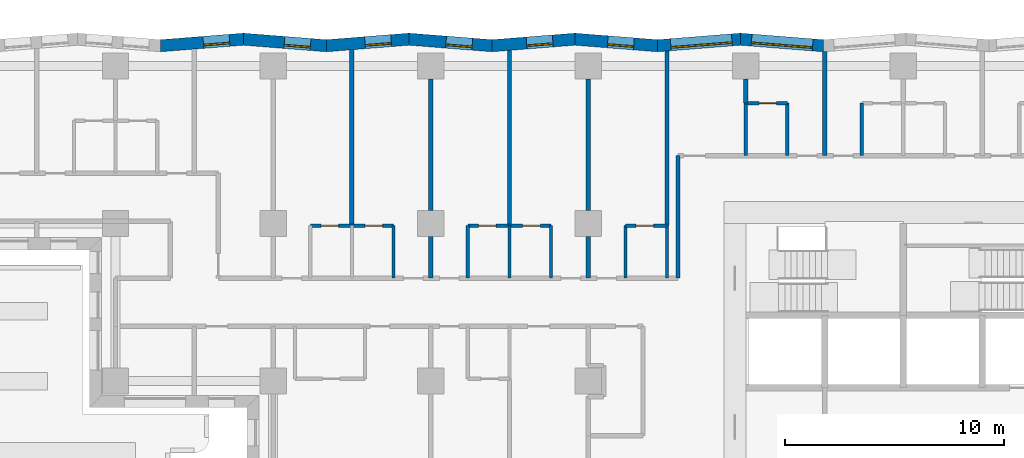
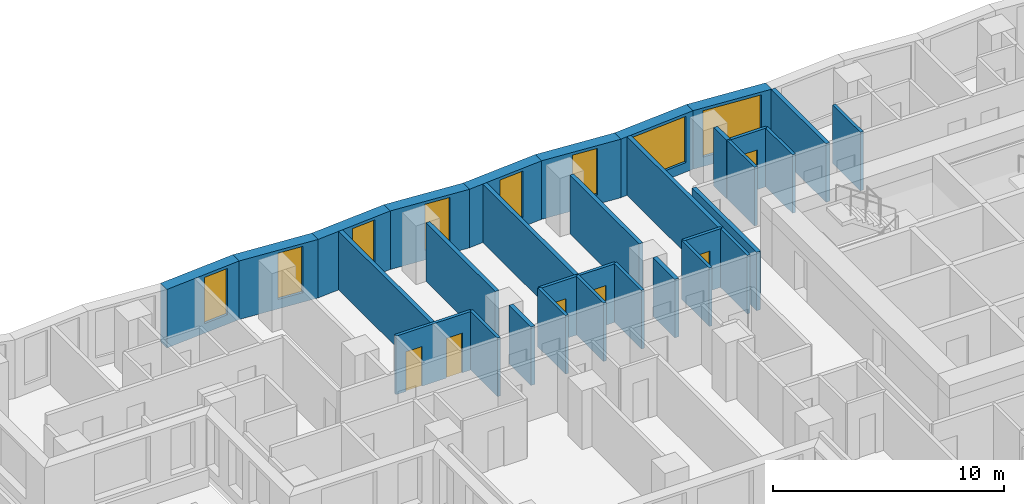
# One storey, part 6 of 15: 31 walls, 8 windows, 6 doors, 14 openings.
"""IFC4 building model written with IfcOpenShell, lengths in metres."""

from ifc_helpers import new_model, si_unit, direction, frame, frame_2d, origin, place, context, subcontext, project, spatial, polyline, rectangle, outline, extrude, material, layer, layer_set, type_object, element, fill, save


model = new_model("IFC4")

# Units and contexts
model_context = context("Model", 3, precision=1e-05, world=origin(), true_north=direction((0.0, 1.0)))
body_context = subcontext(model_context, "Body", "Model", "MODEL_VIEW")
ifc_project = project(units=[si_unit("LENGTHUNIT", "METRE"), si_unit("AREAUNIT", "SQUARE_METRE"), si_unit("VOLUMEUNIT", "CUBIC_METRE"), si_unit("PLANEANGLEUNIT", "RADIAN"), si_unit("MASSUNIT", "GRAM", prefix="KILO")], contexts=[model_context])

# Site, building, storey
site_placement = place(None, origin())
site = spatial("IfcSite", under=ifc_project, at=site_placement, CompositionType="ELEMENT")
building_placement = place(site_placement, origin())
building = spatial("IfcBuilding", under=site, at=building_placement, Name="Windrow Commons", CompositionType="ELEMENT")
storey_placement = place(building_placement, frame((0.0, 0.0, 27.0)))
storey = spatial("IfcBuildingStorey", under=building, at=storey_placement, Name="L06", CompositionType="ELEMENT", Elevation=27.0)

# Wall, opening, window
ifc_material_1 = material(Name="Brick masonry, red clay brick", Category="masonry")
ifc_layer_1 = layer(ifc_material_1, 0.55)
ifc_layer_set_1 = layer_set([ifc_layer_1], Name="Brick facade wall 550")
wall_type_1 = type_object("IfcWallType", Name="Brick facade wall 550", PredefinedType="SOLIDWALL", material=ifc_layer_set_1)
wall_1_placement = place(storey_placement, frame((61.1418, 72.9241, 0.0), z_axis=(0.0, 0.0, 1.0), x_axis=(-0.9968746163, 0.078999996, 0.0)))
wall_1 = element("IfcWall", 1, at=wall_1_placement, inside=storey, type_object=wall_type_1, Name="Brick facade wall L06 28", PredefinedType="SOLIDWALL", context=body_context, shape_type="SweptSolid", body=[
    extrude(outline(polyline([(0.0218, -0.275), (3.8193, -0.275), (3.7757, 0.275), (-0.0218, 0.275), (0.0218, -0.275)])), origin(), (0.0, 0.0, 1.0), 3.1),
])
opening_1_placement = place(wall_1_placement, frame((0.4878, 0.0, 0.5)))
opening_1 = element("IfcOpeningElement", 2, at=opening_1_placement, cuts=wall_1, Name="Opening W1T", PredefinedType="OPENING", context=body_context, shape_type="SweptSolid", body=[
    extrude(rectangle(XDim=2.8, YDim=2.45, at=frame_2d((1.4, 1.225))), frame((0.0, 0.285, 0.0), z_axis=(0.0, -1.0, 0.0), x_axis=(1.0, 0.0, 0.0)), (0.0, 0.0, 1.0), 0.57),
])
ifc_material_2 = material(Name="Clear float glass in anodised aluminium frame", Category="aluminium")
window_type_1 = type_object("IfcWindowType", Name="Window W1T bedroom 2800x2450", PartitioningType="SINGLE_PANEL", PredefinedType="WINDOW", material=ifc_material_2)
window_1_placement = place(opening_1_placement, origin())
window_1 = element("IfcWindow", 3, at=window_1_placement, inside=storey, type_object=window_type_1, Name="Window L06 28.1", OverallHeight=2.45, OverallWidth=2.8, PartitioningType="SINGLE_PANEL", PredefinedType="WINDOW", context=body_context, shape_type="SweptSolid", body=[
    extrude(rectangle(XDim=2.8, YDim=2.45, at=frame_2d((1.4, 1.225))), frame((0.0, 0.155, 0.0), z_axis=(0.0, -1.0, 0.0), x_axis=(1.0, 0.0, 0.0)), (0.0, 0.0, 1.0), 0.06),
])
fill(opening_1, window_1)

wall_2_placement = place(storey_placement, frame((57.3562, 73.2241, 0.0), z_axis=(0.0, 0.0, 1.0), x_axis=(-0.9968746163, -0.078999996, 0.0)))
wall_2 = element("IfcWall", 4, at=wall_2_placement, inside=storey, type_object=wall_type_1, Name="Brick facade wall L06 29", PredefinedType="SOLIDWALL", context=body_context, shape_type="SweptSolid", body=[
    extrude(outline(polyline([(-0.0218, -0.275), (3.7757, -0.275), (3.8193, 0.275), (0.0218, 0.275), (-0.0218, -0.275)])), origin(), (0.0, 0.0, 1.0), 3.1),
])
opening_2_placement = place(wall_2_placement, frame((0.3942, 0.0, 0.5)))
opening_2 = element("IfcOpeningElement", 5, at=opening_2_placement, cuts=wall_2, Name="Opening W1T", PredefinedType="OPENING", context=body_context, shape_type="SweptSolid", body=[
    extrude(rectangle(XDim=2.8, YDim=2.45, at=frame_2d((1.4, 1.225))), frame((0.0, 0.285, 0.0), z_axis=(0.0, -1.0, 0.0), x_axis=(1.0, 0.0, 0.0)), (0.0, 0.0, 1.0), 0.57),
])
window_2_placement = place(opening_2_placement, origin())
window_2 = element("IfcWindow", 6, at=window_2_placement, inside=storey, type_object=window_type_1, Name="Window L06 29.1", OverallHeight=2.45, OverallWidth=2.8, PartitioningType="SINGLE_PANEL", PredefinedType="WINDOW", context=body_context, shape_type="SweptSolid", body=[
    extrude(rectangle(XDim=2.8, YDim=2.45, at=frame_2d((1.4, 1.225))), frame((0.0, 0.155, 0.0), z_axis=(0.0, -1.0, 0.0), x_axis=(1.0, 0.0, 0.0)), (0.0, 0.0, 1.0), 0.06),
])
fill(opening_2, window_2)

wall_3_placement = place(storey_placement, frame((53.5706, 72.9241, 0.0), z_axis=(0.0, 0.0, 1.0), x_axis=(-0.9968747806, 0.0789979222, 0.0)))
wall_3 = element("IfcWall", 7, at=wall_3_placement, inside=storey, type_object=wall_type_1, Name="Brick facade wall L06 30", PredefinedType="SOLIDWALL", context=body_context, shape_type="SweptSolid", body=[
    extrude(outline(polyline([(0.0218, -0.275), (3.8193, -0.275), (3.7757, 0.275), (-0.0218, 0.275), (0.0218, -0.275)])), origin(), (0.0, 0.0, 1.0), 3.1),
])
opening_3_placement = place(wall_3_placement, frame((1.0903, 0.0, 0.5)))
opening_3 = element("IfcOpeningElement", 8, at=opening_3_placement, cuts=wall_3, Name="Opening W7D", PredefinedType="OPENING", context=body_context, shape_type="SweptSolid", body=[
    extrude(rectangle(XDim=1.2, YDim=2.45, at=frame_2d((0.6, 1.225))), frame((0.0, 0.285, 0.0), z_axis=(0.0, -1.0, 0.0), x_axis=(1.0, 0.0, 0.0)), (0.0, 0.0, 1.0), 0.57),
])
ifc_material_3 = material(Name="Clear float glass in anodised aluminium frame", Category="aluminium")
window_type_2 = type_object("IfcWindowType", Name="Window W7 notch 1200x2450", PartitioningType="SINGLE_PANEL", PredefinedType="WINDOW", material=ifc_material_3)
window_3_placement = place(opening_3_placement, origin())
window_3 = element("IfcWindow", 9, at=window_3_placement, inside=storey, type_object=window_type_2, Name="Window L06 30.1", OverallHeight=2.45, OverallWidth=1.2, PartitioningType="SINGLE_PANEL", PredefinedType="WINDOW", context=body_context, shape_type="SweptSolid", body=[
    extrude(rectangle(XDim=1.2, YDim=2.45, at=frame_2d((0.6, 1.225))), frame((0.0, 0.155, 0.0), z_axis=(0.0, -1.0, 0.0), x_axis=(1.0, 0.0, 0.0)), (0.0, 0.0, 1.0), 0.06),
])
fill(opening_3, window_3)

wall_4_placement = place(storey_placement, frame((49.7849, 73.2241, 0.0), z_axis=(0.0, 0.0, 1.0), x_axis=(-0.9968746163, -0.078999996, 0.0)))
wall_4 = element("IfcWall", 10, at=wall_4_placement, inside=storey, type_object=wall_type_1, Name="Brick facade wall L06 31", PredefinedType="SOLIDWALL", context=body_context, shape_type="SweptSolid", body=[
    extrude(outline(polyline([(-0.0218, -0.275), (3.7757, -0.275), (3.8193, 0.275), (0.0218, 0.275), (-0.0218, -0.275)])), origin(), (0.0, 0.0, 1.0), 3.1),
])
opening_4_placement = place(wall_4_placement, frame((1.008, 0.0, 0.5)))
opening_4 = element("IfcOpeningElement", 11, at=opening_4_placement, cuts=wall_4, Name="Opening W7D", PredefinedType="OPENING", context=body_context, shape_type="SweptSolid", body=[
    extrude(rectangle(XDim=1.2, YDim=2.45, at=frame_2d((0.6, 1.225))), frame((0.0, 0.285, 0.0), z_axis=(0.0, -1.0, 0.0), x_axis=(1.0, 0.0, 0.0)), (0.0, 0.0, 1.0), 0.57),
])
window_4_placement = place(opening_4_placement, origin())
window_4 = element("IfcWindow", 12, at=window_4_placement, inside=storey, type_object=window_type_2, Name="Window L06 31.1", OverallHeight=2.45, OverallWidth=1.2, PartitioningType="SINGLE_PANEL", PredefinedType="WINDOW", context=body_context, shape_type="SweptSolid", body=[
    extrude(rectangle(XDim=1.2, YDim=2.45, at=frame_2d((0.6, 1.225))), frame((0.0, 0.155, 0.0), z_axis=(0.0, -1.0, 0.0), x_axis=(1.0, 0.0, 0.0)), (0.0, 0.0, 1.0), 0.06),
])
fill(opening_4, window_4)

wall_5_placement = place(storey_placement, frame((45.9993, 72.9241, 0.0), z_axis=(0.0, 0.0, 1.0), x_axis=(-0.9968746163, 0.078999996, 0.0)))
wall_5 = element("IfcWall", 13, at=wall_5_placement, inside=storey, type_object=wall_type_1, Name="Brick facade wall L06 32", PredefinedType="SOLIDWALL", context=body_context, shape_type="SweptSolid", body=[
    extrude(outline(polyline([(0.0218, -0.275), (3.8193, -0.275), (3.7757, 0.275), (-0.0218, 0.275), (0.0218, -0.275)])), origin(), (0.0, 0.0, 1.0), 3.1),
])
opening_5_placement = place(wall_5_placement, frame((0.9041, 0.0, 0.5)))
opening_5 = element("IfcOpeningElement", 14, at=opening_5_placement, cuts=wall_5, Name="Opening W7D", PredefinedType="OPENING", context=body_context, shape_type="SweptSolid", body=[
    extrude(rectangle(XDim=1.2, YDim=2.45, at=frame_2d((0.6, 1.225))), frame((0.0, 0.285, 0.0), z_axis=(0.0, -1.0, 0.0), x_axis=(1.0, 0.0, 0.0)), (0.0, 0.0, 1.0), 0.57),
])
window_5_placement = place(opening_5_placement, origin())
window_5 = element("IfcWindow", 15, at=window_5_placement, inside=storey, type_object=window_type_2, Name="Window L06 32.1", OverallHeight=2.45, OverallWidth=1.2, PartitioningType="SINGLE_PANEL", PredefinedType="WINDOW", context=body_context, shape_type="SweptSolid", body=[
    extrude(rectangle(XDim=1.2, YDim=2.45, at=frame_2d((0.6, 1.225))), frame((0.0, 0.155, 0.0), z_axis=(0.0, -1.0, 0.0), x_axis=(1.0, 0.0, 0.0)), (0.0, 0.0, 1.0), 0.06),
])
fill(opening_5, window_5)

wall_6_placement = place(storey_placement, frame((42.2137, 73.2241, 0.0), z_axis=(0.0, 0.0, 1.0), x_axis=(-0.9968746163, -0.078999996, 0.0)))
wall_6 = element("IfcWall", 16, at=wall_6_placement, inside=storey, type_object=wall_type_1, Name="Brick facade wall L06 33", PredefinedType="SOLIDWALL", context=body_context, shape_type="SweptSolid", body=[
    extrude(outline(polyline([(-0.0218, -0.275), (3.7757, -0.275), (3.8193, 0.275), (0.0218, 0.275), (-0.0218, -0.275)])), origin(), (0.0, 0.0, 1.0), 3.1),
])
opening_6_placement = place(wall_6_placement, frame((0.8218, 0.0, 0.5)))
opening_6 = element("IfcOpeningElement", 17, at=opening_6_placement, cuts=wall_6, Name="Opening W7D", PredefinedType="OPENING", context=body_context, shape_type="SweptSolid", body=[
    extrude(rectangle(XDim=1.2, YDim=2.45, at=frame_2d((0.6, 1.225))), frame((0.0, 0.285, 0.0), z_axis=(0.0, -1.0, 0.0), x_axis=(1.0, 0.0, 0.0)), (0.0, 0.0, 1.0), 0.57),
])
window_6_placement = place(opening_6_placement, origin())
window_6 = element("IfcWindow", 18, at=window_6_placement, inside=storey, type_object=window_type_2, Name="Window L06 33.1", OverallHeight=2.45, OverallWidth=1.2, PartitioningType="SINGLE_PANEL", PredefinedType="WINDOW", context=body_context, shape_type="SweptSolid", body=[
    extrude(rectangle(XDim=1.2, YDim=2.45, at=frame_2d((0.6, 1.225))), frame((0.0, 0.155, 0.0), z_axis=(0.0, -1.0, 0.0), x_axis=(1.0, 0.0, 0.0)), (0.0, 0.0, 1.0), 0.06),
])
fill(opening_6, window_6)

wall_7_placement = place(storey_placement, frame((38.4281, 72.9241, 0.0), z_axis=(0.0, 0.0, 1.0), x_axis=(-0.9968746163, 0.078999996, 0.0)))
wall_7 = element("IfcWall", 19, at=wall_7_placement, inside=storey, type_object=wall_type_1, Name="Brick facade wall L06 34", PredefinedType="SOLIDWALL", context=body_context, shape_type="SweptSolid", body=[
    extrude(outline(polyline([(0.0218, -0.275), (3.8193, -0.275), (3.7757, 0.275), (-0.0218, 0.275), (0.0218, -0.275)])), origin(), (0.0, 0.0, 1.0), 3.1),
])
opening_7_placement = place(wall_7_placement, frame((0.7179, 0.0, 0.5)))
opening_7 = element("IfcOpeningElement", 20, at=opening_7_placement, cuts=wall_7, Name="Opening W7D", PredefinedType="OPENING", context=body_context, shape_type="SweptSolid", body=[
    extrude(rectangle(XDim=1.2, YDim=2.45, at=frame_2d((0.6, 1.225))), frame((0.0, 0.285, 0.0), z_axis=(0.0, -1.0, 0.0), x_axis=(1.0, 0.0, 0.0)), (0.0, 0.0, 1.0), 0.57),
])
window_7_placement = place(opening_7_placement, origin())
window_7 = element("IfcWindow", 21, at=window_7_placement, inside=storey, type_object=window_type_2, Name="Window L06 34.1", OverallHeight=2.45, OverallWidth=1.2, PartitioningType="SINGLE_PANEL", PredefinedType="WINDOW", context=body_context, shape_type="SweptSolid", body=[
    extrude(rectangle(XDim=1.2, YDim=2.45, at=frame_2d((0.6, 1.225))), frame((0.0, 0.155, 0.0), z_axis=(0.0, -1.0, 0.0), x_axis=(1.0, 0.0, 0.0)), (0.0, 0.0, 1.0), 0.06),
])
fill(opening_7, window_7)

wall_8_placement = place(storey_placement, frame((34.6425, 73.2241, 0.0), z_axis=(0.0, 0.0, 1.0), x_axis=(-0.9968746163, -0.078999996, 0.0)))
wall_8 = element("IfcWall", 22, at=wall_8_placement, inside=storey, type_object=wall_type_1, Name="Brick facade wall L06 35", PredefinedType="SOLIDWALL", context=body_context, shape_type="SweptSolid", body=[
    extrude(outline(polyline([(-0.0218, -0.275), (3.7757, -0.275), (3.8193, 0.275), (0.0218, 0.275), (-0.0218, -0.275)])), origin(), (0.0, 0.0, 1.0), 3.1),
])
opening_8_placement = place(wall_8_placement, frame((0.6356, 0.0, 0.5)))
opening_8 = element("IfcOpeningElement", 23, at=opening_8_placement, cuts=wall_8, Name="Opening W7D", PredefinedType="OPENING", context=body_context, shape_type="SweptSolid", body=[
    extrude(rectangle(XDim=1.2, YDim=2.45, at=frame_2d((0.6, 1.225))), frame((0.0, 0.285, 0.0), z_axis=(0.0, -1.0, 0.0), x_axis=(1.0, 0.0, 0.0)), (0.0, 0.0, 1.0), 0.57),
])
window_8_placement = place(opening_8_placement, origin())
window_8 = element("IfcWindow", 24, at=window_8_placement, inside=storey, type_object=window_type_2, Name="Window L06 35.1", OverallHeight=2.45, OverallWidth=1.2, PartitioningType="SINGLE_PANEL", PredefinedType="WINDOW", context=body_context, shape_type="SweptSolid", body=[
    extrude(rectangle(XDim=1.2, YDim=2.45, at=frame_2d((0.6, 1.225))), frame((0.0, 0.155, 0.0), z_axis=(0.0, -1.0, 0.0), x_axis=(1.0, 0.0, 0.0)), (0.0, 0.0, 1.0), 0.06),
])
fill(opening_8, window_8)

# Wall
ifc_material_4 = material(Name="Blockwork partition", Category="masonry")
ifc_layer_2 = layer(ifc_material_4, 0.2)
ifc_layer_set_2 = layer_set([ifc_layer_2], Name="IW-CORRIDOR-200")
wall_type_2 = type_object("IfcWallType", Name="IW-CORRIDOR-200", PredefinedType="PARTITIONING", material=ifc_layer_set_2)
wall_9_placement = place(storey_placement, frame((54.5, 62.302, 0.0), z_axis=(0.0, 0.0, 1.0), x_axis=(0.0, 1.0, 0.0)))
element("IfcWall", 25, at=wall_9_placement, inside=storey, type_object=wall_type_2, Name="W-L06-W039", PredefinedType="PARTITIONING", context=body_context, shape_type="SweptSolid", body=[
    extrude(rectangle(XDim=5.598, YDim=0.2, at=frame_2d((2.799, 0.0))), origin(), (0.0, 0.0, 1.0), 3.1),
])

# Wall, openings, doors
ifc_material_5 = material(Name="Blockwork partition", Category="masonry")
ifc_layer_3 = layer(ifc_material_5, 0.15)
ifc_layer_set_3 = layer_set([ifc_layer_3], Name="IW-ENSUITE-150")
wall_type_3 = type_object("IfcWallType", Name="IW-ENSUITE-150", PredefinedType="PARTITIONING", material=ifc_layer_set_3)
wall_10_placement = place(storey_placement, frame((44.9, 64.7, 0.0), z_axis=(0.0, 0.0, 1.0), x_axis=(1.0, 0.0, 0.0)))
wall_10 = element("IfcWall", 26, at=wall_10_placement, inside=storey, type_object=wall_type_3, Name="W-L06-W060", PredefinedType="PARTITIONING", context=body_context, shape_type="SweptSolid", body=[
    extrude(rectangle(XDim=3.8, YDim=0.15, at=frame_2d((1.9, 0.0))), origin(), (0.0, 0.0, 1.0), 3.1),
])
opening_9_placement = place(wall_10_placement, frame((0.4931, 0.0, 0.0)))
opening_9 = element("IfcOpeningElement", 27, at=opening_9_placement, cuts=wall_10, Name="Opening D208N", PredefinedType="OPENING", context=body_context, shape_type="SweptSolid", body=[
    extrude(rectangle(XDim=0.8, YDim=2.1, at=frame_2d((0.4, 1.05))), frame((0.0, 0.085, 0.0), z_axis=(0.0, -1.0, 0.0), x_axis=(1.0, 0.0, 0.0)), (0.0, 0.0, 1.0), 0.17),
])
opening_10_placement = place(wall_10_placement, frame((2.5069, 0.0, 0.0)))
opening_10 = element("IfcOpeningElement", 28, at=opening_10_placement, cuts=wall_10, Name="Opening D208N", PredefinedType="OPENING", context=body_context, shape_type="SweptSolid", body=[
    extrude(rectangle(XDim=0.8, YDim=2.1, at=frame_2d((0.4, 1.05))), frame((0.0, 0.085, 0.0), z_axis=(0.0, -1.0, 0.0), x_axis=(1.0, 0.0, 0.0)), (0.0, 0.0, 1.0), 0.17),
])
ifc_material_6 = material(Name="Timber door leaf", Category="wood")
door_type = type_object("IfcDoorType", Name="DT-ENSUITE-800", OperationType="SINGLE_SWING_LEFT", PredefinedType="DOOR", material=ifc_material_6)
door_1_placement = place(opening_9_placement, origin())
door_1 = element("IfcDoor", 29, at=door_1_placement, inside=storey, type_object=door_type, Name="D-L06-D019", OperationType="SINGLE_SWING_RIGHT", OverallHeight=2.1, OverallWidth=0.8, PredefinedType="DOOR", context=body_context, shape_type="SweptSolid", body=[
    extrude(rectangle(XDim=0.8, YDim=2.1, at=frame_2d((0.4, 1.05))), frame((0.0, 0.025, 0.0), z_axis=(0.0, -1.0, 0.0), x_axis=(1.0, 0.0, 0.0)), (0.0, 0.0, 1.0), 0.05),
])
fill(opening_9, door_1)
door_2_placement = place(opening_10_placement, origin())
door_2 = element("IfcDoor", 30, at=door_2_placement, inside=storey, type_object=door_type, Name="D-L06-D021", OperationType="SINGLE_SWING_RIGHT", OverallHeight=2.1, OverallWidth=0.8, PredefinedType="DOOR", context=body_context, shape_type="SweptSolid", body=[
    extrude(rectangle(XDim=0.8, YDim=2.1, at=frame_2d((0.4, 1.05))), frame((0.0, 0.025, 0.0), z_axis=(0.0, -1.0, 0.0), x_axis=(1.0, 0.0, 0.0)), (0.0, 0.0, 1.0), 0.05),
])
fill(opening_10, door_2)

wall_11_placement = place(storey_placement, frame((37.7, 64.7, 0.0), z_axis=(0.0, 0.0, 1.0), x_axis=(1.0, 0.0, 0.0)))
wall_11 = element("IfcWall", 31, at=wall_11_placement, inside=storey, type_object=wall_type_3, Name="W-L06-W064", PredefinedType="PARTITIONING", context=body_context, shape_type="SweptSolid", body=[
    extrude(rectangle(XDim=3.8, YDim=0.15, at=frame_2d((1.9, 0.0))), origin(), (0.0, 0.0, 1.0), 3.1),
])
opening_11_placement = place(wall_11_placement, frame((0.4931, 0.0, 0.0)))
opening_11 = element("IfcOpeningElement", 32, at=opening_11_placement, cuts=wall_11, Name="Opening D208N", PredefinedType="OPENING", context=body_context, shape_type="SweptSolid", body=[
    extrude(rectangle(XDim=0.8, YDim=2.1, at=frame_2d((0.4, 1.05))), frame((0.0, 0.085, 0.0), z_axis=(0.0, -1.0, 0.0), x_axis=(1.0, 0.0, 0.0)), (0.0, 0.0, 1.0), 0.17),
])
opening_12_placement = place(wall_11_placement, frame((2.5069, 0.0, 0.0)))
opening_12 = element("IfcOpeningElement", 33, at=opening_12_placement, cuts=wall_11, Name="Opening D208N", PredefinedType="OPENING", context=body_context, shape_type="SweptSolid", body=[
    extrude(rectangle(XDim=0.8, YDim=2.1, at=frame_2d((0.4, 1.05))), frame((0.0, 0.085, 0.0), z_axis=(0.0, -1.0, 0.0), x_axis=(1.0, 0.0, 0.0)), (0.0, 0.0, 1.0), 0.17),
])
door_3_placement = place(opening_11_placement, origin())
door_3 = element("IfcDoor", 34, at=door_3_placement, inside=storey, type_object=door_type, Name="D-L06-D015", OperationType="SINGLE_SWING_RIGHT", OverallHeight=2.1, OverallWidth=0.8, PredefinedType="DOOR", context=body_context, shape_type="SweptSolid", body=[
    extrude(rectangle(XDim=0.8, YDim=2.1, at=frame_2d((0.4, 1.05))), frame((0.0, 0.025, 0.0), z_axis=(0.0, -1.0, 0.0), x_axis=(1.0, 0.0, 0.0)), (0.0, 0.0, 1.0), 0.05),
])
fill(opening_11, door_3)
door_4_placement = place(opening_12_placement, origin())
door_4 = element("IfcDoor", 35, at=door_4_placement, inside=storey, type_object=door_type, Name="D-L06-D017", OperationType="SINGLE_SWING_RIGHT", OverallHeight=2.1, OverallWidth=0.8, PredefinedType="DOOR", context=body_context, shape_type="SweptSolid", body=[
    extrude(rectangle(XDim=0.8, YDim=2.1, at=frame_2d((0.4, 1.05))), frame((0.0, 0.025, 0.0), z_axis=(0.0, -1.0, 0.0), x_axis=(1.0, 0.0, 0.0)), (0.0, 0.0, 1.0), 0.05),
])
fill(opening_12, door_4)

# Walls
for number, where, z_axis, x_axis, name in (
    (36, (41.5, 62.3, 0.0), (0.0, 0.0, 1.0), (0.0, 1.0, 0.0), "W-L06-W089"),
    (37, (44.9, 62.3, 0.0), (0.0, 0.0, 1.0), (0.0, 1.0, 0.0), "W-L06-W090"),
    (38, (46.8, 62.3, 0.0), (0.0, 0.0, 1.0), (0.0, 1.0, 0.0), "W-L06-W091"),
    (39, (48.7, 62.3, 0.0), (0.0, 0.0, 1.0), (0.0, 1.0, 0.0), "W-L06-W092"),
    (40, (52.1, 62.3, 0.0), (0.0, 0.0, 1.0), (0.0, 1.0, 0.0), "W-L06-W093"),
    (41, (54.0, 62.3, 0.0), (0.0, 0.0, 1.0), (0.0, 1.0, 0.0), "W-L06-W094"),
    (42, (59.5, 67.9, 0.0), (0.0, 0.0, 1.0), (0.0, 1.0, 0.0), "W-L06-W108"),
    (43, (57.6, 67.9, 0.0), (0.0, 0.0, 1.0), (0.0, 1.0, 0.0), "W-L06-W109"),
    (44, (62.9, 67.9, 0.0), (0.0, 0.0, 1.0), (0.0, 1.0, 0.0), "W-L06-W110"),
):
    element("IfcWall", number, at=place(storey_placement, frame(where, z_axis=z_axis, x_axis=x_axis)), inside=storey, type_object=wall_type_3, Name=name, PredefinedType="PARTITIONING", context=body_context, shape_type="SweptSolid", body=[
        extrude(rectangle(XDim=2.4, YDim=0.15, at=frame_2d((1.2, 0.0))), origin(), (0.0, 0.0, 1.0), 3.1),
    ])

# Wall, opening, door
wall_12_placement = place(storey_placement, frame((52.1, 64.7, 0.0), z_axis=(0.0, 0.0, 1.0), x_axis=(1.0, 0.0, 0.0)))
wall_12 = element("IfcWall", 45, at=wall_12_placement, inside=storey, type_object=wall_type_3, Name="W-L06-W149", PredefinedType="PARTITIONING", context=body_context, shape_type="SweptSolid", body=[
    extrude(rectangle(XDim=1.9, YDim=0.15, at=frame_2d((0.95, 0.0))), origin(), (0.0, 0.0, 1.0), 3.1),
])
opening_13_placement = place(wall_12_placement, frame((0.4931, 0.0, 0.0)))
opening_13 = element("IfcOpeningElement", 46, at=opening_13_placement, cuts=wall_12, Name="Opening D208N", PredefinedType="OPENING", context=body_context, shape_type="SweptSolid", body=[
    extrude(rectangle(XDim=0.8, YDim=2.1, at=frame_2d((0.4, 1.05))), frame((0.0, 0.085, 0.0), z_axis=(0.0, -1.0, 0.0), x_axis=(1.0, 0.0, 0.0)), (0.0, 0.0, 1.0), 0.17),
])
door_5_placement = place(opening_13_placement, origin())
door_5 = element("IfcDoor", 47, at=door_5_placement, inside=storey, type_object=door_type, Name="D-L06-D023", OperationType="SINGLE_SWING_RIGHT", OverallHeight=2.1, OverallWidth=0.8, PredefinedType="DOOR", context=body_context, shape_type="SweptSolid", body=[
    extrude(rectangle(XDim=0.8, YDim=2.1, at=frame_2d((0.4, 1.05))), frame((0.0, 0.025, 0.0), z_axis=(0.0, -1.0, 0.0), x_axis=(1.0, 0.0, 0.0)), (0.0, 0.0, 1.0), 0.05),
])
fill(opening_13, door_5)

wall_13_placement = place(storey_placement, frame((57.6, 70.3, 0.0), z_axis=(0.0, 0.0, 1.0), x_axis=(1.0, 0.0, 0.0)))
wall_13 = element("IfcWall", 48, at=wall_13_placement, inside=storey, type_object=wall_type_3, Name="W-L06-W154", PredefinedType="PARTITIONING", context=body_context, shape_type="SweptSolid", body=[
    extrude(rectangle(XDim=1.9, YDim=0.15, at=frame_2d((0.95, 0.0))), origin(), (0.0, 0.0, 1.0), 3.1),
])
opening_14_placement = place(wall_13_placement, frame((0.6069, 0.0, 0.0)))
opening_14 = element("IfcOpeningElement", 49, at=opening_14_placement, cuts=wall_13, Name="Opening D208N", PredefinedType="OPENING", context=body_context, shape_type="SweptSolid", body=[
    extrude(rectangle(XDim=0.8, YDim=2.1, at=frame_2d((0.4, 1.05))), frame((0.0, 0.085, 0.0), z_axis=(0.0, -1.0, 0.0), x_axis=(1.0, 0.0, 0.0)), (0.0, 0.0, 1.0), 0.17),
])
door_6_placement = place(opening_14_placement, origin())
door_6 = element("IfcDoor", 50, at=door_6_placement, inside=storey, type_object=door_type, Name="D-L06-D032", OperationType="SINGLE_SWING_RIGHT", OverallHeight=2.1, OverallWidth=0.8, PredefinedType="DOOR", context=body_context, shape_type="SweptSolid", body=[
    extrude(rectangle(XDim=0.8, YDim=2.1, at=frame_2d((0.4, 1.05))), frame((0.0, 0.025, 0.0), z_axis=(0.0, -1.0, 0.0), x_axis=(1.0, 0.0, 0.0)), (0.0, 0.0, 1.0), 0.05),
])
fill(opening_14, door_6)

# Walls
ifc_material_7 = material(Name="Blockwork partition", Category="masonry")
ifc_layer_4 = layer(ifc_material_7, 0.2)
ifc_layer_set_4 = layer_set([ifc_layer_4], Name="IW-PARTY-200")
wall_type_4 = type_object("IfcWallType", Name="IW-PARTY-200", PredefinedType="PARTITIONING", material=ifc_layer_set_4)
wall_14_placement = place(storey_placement, frame((39.6, 64.7, 0.0), z_axis=(0.0, 0.0, 1.0), x_axis=(0.0, 1.0, 0.0)))
element("IfcWall", 51, at=wall_14_placement, inside=storey, type_object=wall_type_4, Name="W-L06-W016", PredefinedType="PARTITIONING", context=body_context, shape_type="SweptSolid", body=[
    extrude(rectangle(XDim=8.0411, YDim=0.2, at=frame_2d((4.0206, 0.0))), origin(), (0.0, 0.0, 1.0), 3.1),
])
wall_15_placement = place(storey_placement, frame((46.8, 64.7, 0.0), z_axis=(0.0, 0.0, 1.0), x_axis=(0.0, 1.0, 0.0)))
element("IfcWall", 52, at=wall_15_placement, inside=storey, type_object=wall_type_4, Name="W-L06-W018", PredefinedType="PARTITIONING", context=body_context, shape_type="SweptSolid", body=[
    extrude(rectangle(XDim=8.0117, YDim=0.2, at=frame_2d((4.0058, 0.0))), origin(), (0.0, 0.0, 1.0), 3.1),
])
wall_16_placement = place(storey_placement, frame((54.0, 64.7, 0.0), z_axis=(0.0, 0.0, 1.0), x_axis=(0.0, 1.0, 0.0)))
element("IfcWall", 53, at=wall_16_placement, inside=storey, type_object=wall_type_4, Name="W-L06-W020", PredefinedType="PARTITIONING", context=body_context, shape_type="SweptSolid", body=[
    extrude(rectangle(XDim=7.9823, YDim=0.2, at=frame_2d((3.9912, 0.0))), origin(), (0.0, 0.0, 1.0), 3.1),
])
for number, where, z_axis, x_axis, name in (
    (54, (43.2, 65.4, 0.0), (0.0, 0.0, 1.0), (0.0, 1.0, 0.0), "W-L06-W032"),
    (55, (50.4, 65.4, 0.0), (0.0, 0.0, 1.0), (0.0, 1.0, 0.0), "W-L06-W034"),
):
    element("IfcWall", number, at=place(storey_placement, frame(where, z_axis=z_axis, x_axis=x_axis)), inside=storey, type_object=wall_type_4, Name=name, PredefinedType="PARTITIONING", context=body_context, shape_type="SweptSolid", body=[
        extrude(rectangle(XDim=6.0, YDim=0.2, at=frame_2d((3.0, 0.0))), origin(), (0.0, 0.0, 1.0), 3.1),
    ])
wall_17_placement = place(storey_placement, frame((61.2, 67.9, 0.0), z_axis=(0.0, 0.0, 1.0), x_axis=(0.0, 1.0, 0.0)))
element("IfcWall", 56, at=wall_17_placement, inside=storey, type_object=wall_type_4, Name="W-L06-W054", PredefinedType="PARTITIONING", context=body_context, shape_type="SweptSolid", body=[
    extrude(rectangle(XDim=4.7529, YDim=0.2, at=frame_2d((2.3765, 0.0))), origin(), (0.0, 0.0, 1.0), 3.1),
])
for number, where, z_axis, x_axis, name in (
    (57, (43.2, 62.3, 0.0), (0.0, 0.0, 1.0), (0.0, 1.0, 0.0), "W-L06-W141"),
    (58, (50.4, 62.3, 0.0), (0.0, 0.0, 1.0), (0.0, 1.0, 0.0), "W-L06-W142"),
):
    element("IfcWall", number, at=place(storey_placement, frame(where, z_axis=z_axis, x_axis=x_axis)), inside=storey, type_object=wall_type_4, Name=name, PredefinedType="PARTITIONING", context=body_context, shape_type="SweptSolid", body=[
        extrude(rectangle(XDim=1.9, YDim=0.2, at=frame_2d((0.95, 0.0))), origin(), (0.0, 0.0, 1.0), 3.1),
    ])
wall_18_placement = place(storey_placement, frame((57.6, 70.3, 0.0), z_axis=(0.0, 0.0, 1.0), x_axis=(0.0, 1.0, 0.0)))
element("IfcWall", 59, at=wall_18_placement, inside=storey, type_object=wall_type_4, Name="W-L06-W181", PredefinedType="PARTITIONING", context=body_context, shape_type="SweptSolid", body=[
    extrude(rectangle(XDim=1.1, YDim=0.2, at=frame_2d((0.55, 0.0))), origin(), (0.0, 0.0, 1.0), 3.1),
])

save(model, "model.ifc")
